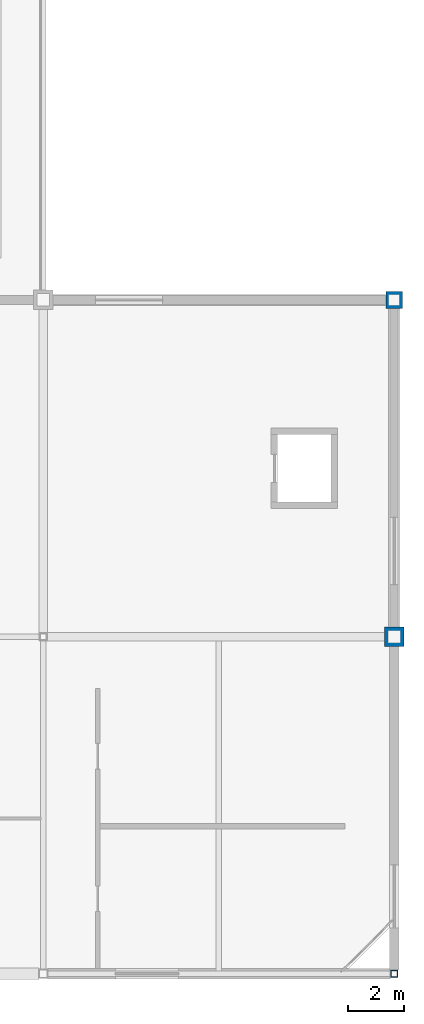
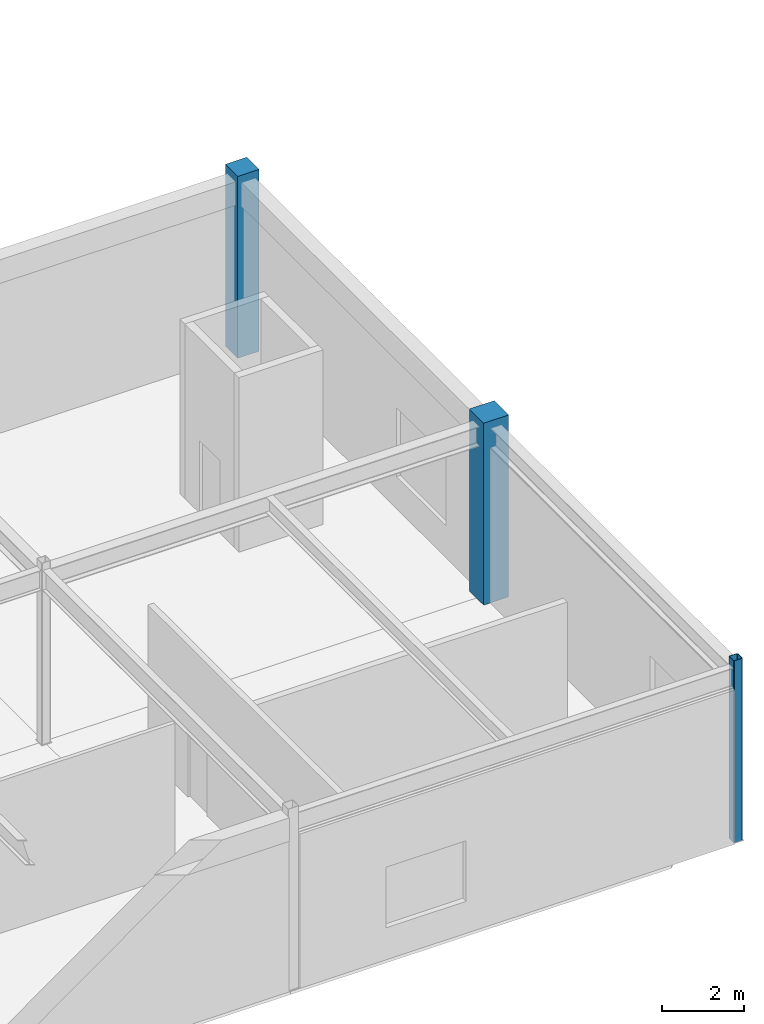
# One storey, part 15 of 105: 3 columns.
"""IFC4 building model written with IfcOpenShell, lengths in metres."""

from ifc_helpers import new_model, si_unit, direction, frame, origin, origin_2d, place, context, subcontext, project, spatial, rectangle, hollow_rectangle, extrude, material, material_profile, profile_set, type_object, element, save


model = new_model("IFC4")

# Units and contexts
model_context = context("Model", 3, precision=1e-05, world=origin(), true_north=direction((0.0, 1.0)))
body_context = subcontext(model_context, "Body", "Model", "MODEL_VIEW")
ifc_project = project(units=[si_unit("LENGTHUNIT", "METRE"), si_unit("AREAUNIT", "SQUARE_METRE"), si_unit("VOLUMEUNIT", "CUBIC_METRE"), si_unit("PLANEANGLEUNIT", "RADIAN"), si_unit("MASSUNIT", "GRAM", prefix="KILO")], contexts=[model_context])

# Site, building, storey
site_placement = place(None, origin())
site = spatial("IfcSite", under=ifc_project, at=site_placement, CompositionType="ELEMENT")
building_placement = place(site_placement, origin())
building = spatial("IfcBuilding", under=site, at=building_placement, Name="Kazenohara Klinker Stadium", CompositionType="ELEMENT")
storey_placement = place(building_placement, frame((0.0, 0.0, 20.39990234375)))
storey = spatial("IfcBuildingStorey", under=building, at=storey_placement, Name="L04", CompositionType="ELEMENT", Elevation=20.39990234375)

# Columns
ifc_material_1 = material(Name="Concrete C40/50", Category="concrete")
ifc_material_profile_1 = material_profile(ifc_material_1, rectangle(XDim=0.699951171875, YDim=0.699951171875, at=origin_2d()), Name="RC-COL-700x700")
ifc_profile_set_1 = profile_set([ifc_material_profile_1], Name="Concrete C40/50")
column_type_1 = type_object("IfcColumnType", Name="COL-RC06", PredefinedType="COLUMN", material=ifc_profile_set_1)
column_1_placement = place(storey_placement, frame((200.0, 24.0, 0.0), z_axis=(0.0, 0.0, 1.0), x_axis=(1.0, 0.0, 0.0)))
element("IfcColumn", 1, at=column_1_placement, inside=storey, type_object=column_type_1, Name="Column C06 L04 17/C", PredefinedType="COLUMN", context=body_context, shape_type="SweptSolid", body=[
    extrude(rectangle(XDim=0.699951171875, YDim=0.699951171875, at=origin_2d()), origin(), (0.0, 0.0, 1.0), 5.400146484375),
])
ifc_material_profile_2 = material_profile(ifc_material_1, rectangle(XDim=0.60009765625, YDim=0.60009765625, at=origin_2d()), Name="RC-COL-600x600")
ifc_profile_set_2 = profile_set([ifc_material_profile_2], Name="Concrete C40/50")
column_type_2 = type_object("IfcColumnType", Name="COL-RC07", PredefinedType="COLUMN", material=ifc_profile_set_2)
column_2_placement = place(storey_placement, frame((200.0, 36.0, 0.0), z_axis=(0.0, 0.0, 1.0), x_axis=(1.0, 0.0, 0.0)))
element("IfcColumn", 2, at=column_2_placement, inside=storey, type_object=column_type_2, Name="Column C07 L04 17/D", PredefinedType="COLUMN", context=body_context, shape_type="SweptSolid", body=[
    extrude(rectangle(XDim=0.60009765625, YDim=0.60009765625, at=origin_2d()), origin(), (0.0, 0.0, 1.0), 5.400146484375),
])
ifc_material_2 = material(Name="Steel S355", Category="steel")
ifc_material_profile_3 = material_profile(ifc_material_2, hollow_rectangle(XDim=0.25, YDim=0.25, WallThickness=0.011962890625, InnerFilletRadius=0.011962890625, OuterFilletRadius=0.02392578125, at=origin_2d()), Name="SHS-250x250x12")
ifc_profile_set_3 = profile_set([ifc_material_profile_3], Name="Steel S355")
column_type_3 = type_object("IfcColumnType", Name="COL-ST04", PredefinedType="COLUMN", material=ifc_profile_set_3)
column_3_placement = place(storey_placement, frame((200.0, 12.0, 0.0), z_axis=(0.0, 0.0, 1.0), x_axis=(1.0, 0.0, 0.0)))
element("IfcColumn", 3, at=column_3_placement, inside=storey, type_object=column_type_3, Name="Column SC04 L04 17/B", PredefinedType="COLUMN", context=body_context, shape_type="SweptSolid", body=[
    extrude(hollow_rectangle(XDim=0.25, YDim=0.25, WallThickness=0.011962890625, InnerFilletRadius=0.011962890625, OuterFilletRadius=0.02392578125, at=origin_2d()), origin(), (0.0, 0.0, 1.0), 5.400146484375),
])

save(model, "model.ifc")
